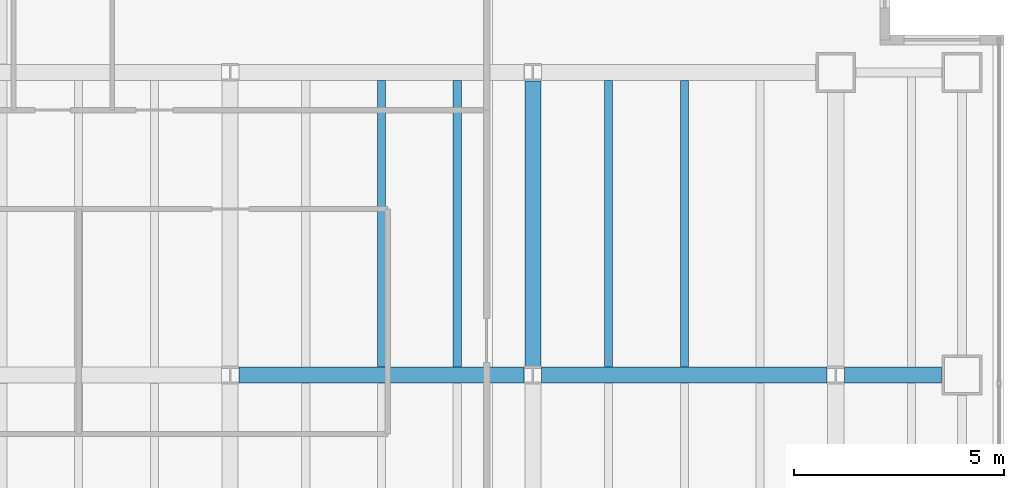
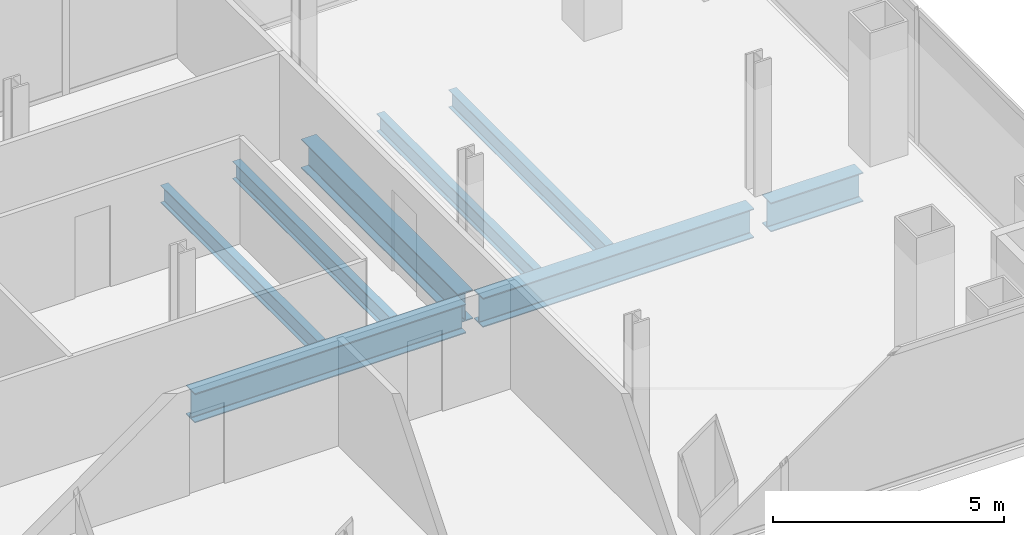
# One storey, part 12 of 24: 8 beams.
"""IFC4 building model written with IfcOpenShell, lengths in metres."""

from ifc_helpers import new_model, si_unit, direction, frame, origin, origin_2d, place, context, subcontext, project, spatial, i_section, extrude, material, material_profile, profile_set, type_object, element, save


model = new_model("IFC4")

# Units and contexts
model_context = context("Model", 3, precision=1e-05, world=origin(), true_north=direction((0.0, 1.0)))
body_context = subcontext(model_context, "Body", "Model", "MODEL_VIEW")
ifc_project = project(units=[si_unit("LENGTHUNIT", "METRE"), si_unit("AREAUNIT", "SQUARE_METRE"), si_unit("VOLUMEUNIT", "CUBIC_METRE"), si_unit("PLANEANGLEUNIT", "RADIAN"), si_unit("MASSUNIT", "GRAM", prefix="KILO")], contexts=[model_context])

# Site, building, storey
site_placement = place(None, origin())
site = spatial("IfcSite", under=ifc_project, at=site_placement, CompositionType="ELEMENT")
building_placement = place(site_placement, origin())
building = spatial("IfcBuilding", under=site, at=building_placement, Name="Cobrela Telecom Tower", CompositionType="ELEMENT")
storey_placement = place(building_placement, frame((0.0, 0.0, 106.050048828125)))
storey = spatial("IfcBuildingStorey", under=building, at=storey_placement, Name="L26", CompositionType="ELEMENT", Elevation=106.050048828125)

# Beams
ifc_material = material(Name="Steel ASTM A992 Grade 50", Category="steel")
ifc_material_profile_1 = material_profile(ifc_material, i_section(OverallWidth=0.381103515625, OverallDepth=0.77197265625, WebThickness=0.0166015625, FlangeThickness=0.027099609375, FilletRadius=0.01904296875, at=origin_2d()), Name="W30X173")
ifc_profile_set_1 = profile_set([ifc_material_profile_1], Name="Steel ASTM A992 Grade 50")
beam_type_1 = type_object("IfcBeamType", Name="BM-GIRD-04", PredefinedType="USERDEFINED", material=ifc_profile_set_1)
for number, where, z_axis, x_axis, name in (
    (1, (29.009521484375, 14.39990234375, -0.656005859375), (1.0, 0.0, 0.0), (0.0, 1.0, 0.0), "L26 Primary Girder X15"),
    (2, (36.20947265625, 14.39990234375, -0.656005859375), (1.0, 0.0, 0.0), (0.0, 1.0, 0.0), "L26 Primary Girder X16"),
):
    element("IfcBeam", number, at=place(storey_placement, frame(where, z_axis=z_axis, x_axis=x_axis)), inside=storey, type_object=beam_type_1, Name=name, ObjectType="GIRDER", PredefinedType="USERDEFINED", context=body_context, shape_type="SweptSolid", body=[
        extrude(i_section(OverallWidth=0.381103515625, OverallDepth=0.77197265625, WebThickness=0.0166015625, FlangeThickness=0.027099609375, FilletRadius=0.01904296875, at=origin_2d()), origin(), (0.0, 0.0, 1.0), 6.781005859375),
    ])
beam_1_placement = place(storey_placement, frame((43.409423828125, 14.39990234375, -0.656005859375), z_axis=(1.0, 0.0, 0.0), x_axis=(0.0, 1.0, 0.0)))
element("IfcBeam", 3, at=beam_1_placement, inside=storey, type_object=beam_type_1, Name="L26 Primary Girder X17", ObjectType="GIRDER", PredefinedType="USERDEFINED", context=body_context, shape_type="SweptSolid", body=[
    extrude(i_section(OverallWidth=0.381103515625, OverallDepth=0.77197265625, WebThickness=0.0166015625, FlangeThickness=0.027099609375, FilletRadius=0.01904296875, at=origin_2d()), origin(), (0.0, 0.0, 1.0), 2.310546875),
])
beam_2_placement = place(storey_placement, frame((36.0, 14.609619140625, -0.656005859375), z_axis=(0.0, 1.0, 0.0), x_axis=(-1.0, 0.0, 0.0)))
element("IfcBeam", 4, at=beam_2_placement, inside=storey, type_object=beam_type_1, Name="L26 Primary Girder Y51", ObjectType="GIRDER", PredefinedType="USERDEFINED", context=body_context, shape_type="SweptSolid", body=[
    extrude(i_section(OverallWidth=0.381103515625, OverallDepth=0.77197265625, WebThickness=0.0166015625, FlangeThickness=0.027099609375, FilletRadius=0.01904296875, at=origin_2d()), origin(), (0.0, 0.0, 1.0), 6.78076171875),
])
ifc_material_profile_2 = material_profile(ifc_material, i_section(OverallWidth=0.193115234375, OverallDepth=0.467041015625, WebThickness=0.011474609375, FlangeThickness=0.01904296875, FilletRadius=0.012939453125, at=origin_2d()), Name="W18X65")
ifc_profile_set_2 = profile_set([ifc_material_profile_2], Name="Steel ASTM A992 Grade 50")
beam_type_2 = type_object("IfcBeamType", Name="BM-JOIST-03", PredefinedType="JOIST", material=ifc_profile_set_2)
for number, where, z_axis, x_axis, name in (
    (5, (32.39990234375, 14.595458984375, -0.503662109375), (0.0, 1.0, 0.0), (-1.0, 0.0, 0.0), "L26 Secondary Composite Floor Beam J30"),
    (6, (34.199951171875, 14.595458984375, -0.503662109375), (0.0, 1.0, 0.0), (-1.0, 0.0, 0.0), "L26 Secondary Composite Floor Beam J32"),
    (7, (37.800048828125, 14.595458984375, -0.503662109375), (0.0, 1.0, 0.0), (-1.0, 0.0, 0.0), "L26 Secondary Composite Floor Beam J34"),
    (8, (39.60009765625, 14.595458984375, -0.503662109375), (0.0, 1.0, 0.0), (-1.0, 0.0, 0.0), "L26 Secondary Composite Floor Beam J36"),
):
    element("IfcBeam", number, at=place(storey_placement, frame(where, z_axis=z_axis, x_axis=x_axis)), inside=storey, type_object=beam_type_2, Name=name, PredefinedType="JOIST", context=body_context, shape_type="SweptSolid", body=[
        extrude(i_section(OverallWidth=0.193115234375, OverallDepth=0.467041015625, WebThickness=0.011474609375, FlangeThickness=0.01904296875, FilletRadius=0.012939453125, at=origin_2d()), origin(), (0.0, 0.0, 1.0), 6.80908203125),
    ])

save(model, "model.ifc")
